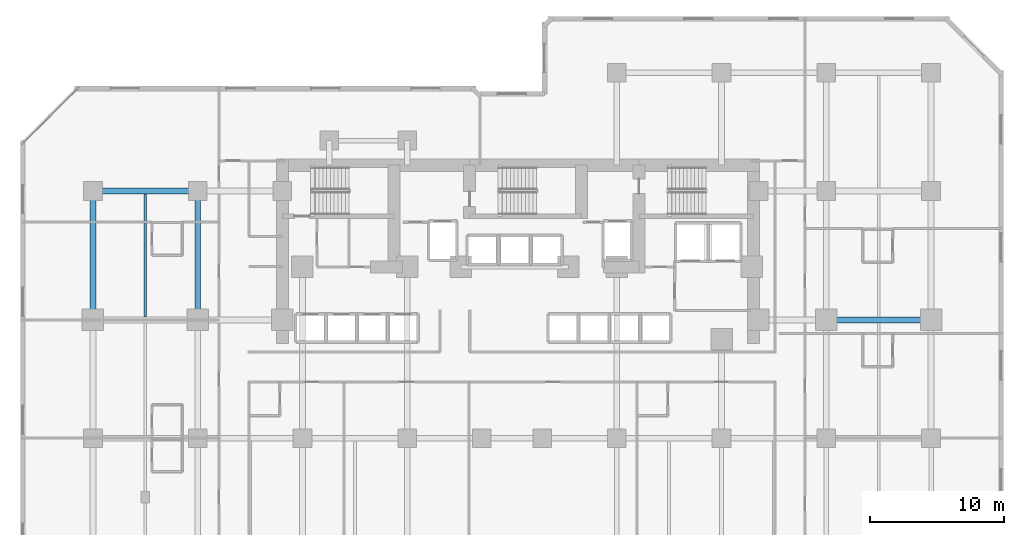
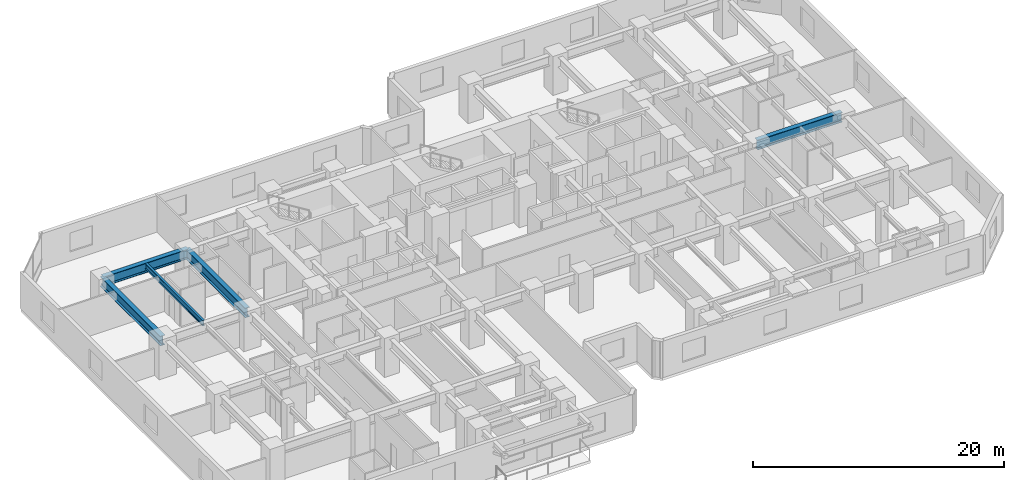
# One storey, part 2 of 11: 5 beams.
"""IFC4 building model written with IfcOpenShell, lengths in metres."""

from ifc_helpers import new_model, si_unit, direction, frame, origin, origin_2d, place, context, subcontext, project, spatial, i_section, extrude, material, material_profile, profile_set, type_object, element, save


model = new_model("IFC4")

# Units and contexts
model_context = context("Model", 3, precision=1e-05, world=origin(), true_north=direction((0.0, 1.0)))
body_context = subcontext(model_context, "Body", "Model", "MODEL_VIEW")
ifc_project = project(units=[si_unit("LENGTHUNIT", "METRE"), si_unit("AREAUNIT", "SQUARE_METRE"), si_unit("VOLUMEUNIT", "CUBIC_METRE"), si_unit("PLANEANGLEUNIT", "RADIAN"), si_unit("MASSUNIT", "GRAM", prefix="KILO")], contexts=[model_context])

# Site, building, storey
site_placement = place(None, origin())
site = spatial("IfcSite", under=ifc_project, at=site_placement, CompositionType="ELEMENT")
building_placement = place(site_placement, origin())
building = spatial("IfcBuilding", under=site, at=building_placement, Name="Kestravale Grand Hotel", CompositionType="ELEMENT")
storey_placement = place(building_placement, frame((0.0, 0.0, 37.39990234375)))
storey = spatial("IfcBuildingStorey", under=building, at=storey_placement, Name="L08", CompositionType="ELEMENT", Elevation=37.39990234375)

# Beams
ifc_material_1 = material(Name="Steel ASTM A992 Grade 50", Category="steel")
ifc_material_profile_1 = material_profile(ifc_material_1, i_section(OverallWidth=0.2099609375, OverallDepth=0.535888671875, WebThickness=0.010986328125, FlangeThickness=0.017333984375, FilletRadius=0.017578125, at=origin_2d()))
ifc_profile_set_1 = profile_set([ifc_material_profile_1], Name="Steel ASTM A992 Grade 50")
beam_type_1 = type_object("IfcBeamType", Name="B-FLR-JST21", PredefinedType="JOIST", material=ifc_profile_set_1)
beam_placement = place(storey_placement, frame((11.699951171875, 29.011962890625, 3.272216796875), z_axis=(0.0, 1.0, 0.0), x_axis=(-1.0, 0.0, 0.0)))
element("IfcBeam", 1, at=beam_placement, inside=storey, type_object=beam_type_1, Name="L08 floor joist 2-3/E-F #1", PredefinedType="JOIST", context=body_context, shape_type="SweptSolid", body=[
    extrude(i_section(OverallWidth=0.2099609375, OverallDepth=0.535888671875, WebThickness=0.010986328125, FlangeThickness=0.017333984375, FilletRadius=0.017578125, at=origin_2d()), origin(), (0.0, 0.0, 1.0), 9.176025390625),
])
ifc_material_2 = material(Name="Steel ASTM A992 Grade 50", Category="steel")
ifc_material_profile_2 = material_profile(ifc_material_2, i_section(OverallWidth=0.424072265625, OverallDepth=0.947021484375, WebThickness=0.02392578125, FlangeThickness=0.042724609375, FilletRadius=0.0283203125, at=origin_2d()))
ifc_profile_set_2 = profile_set([ifc_material_profile_2], Name="Steel ASTM A992 Grade 50")
beam_type_2 = type_object("IfcBeamType", Name="B-GRD-W36", PredefinedType="BEAM", material=ifc_profile_set_2)
for number, where, z_axis, x_axis, name in (
    (2, (62.39990234375, 28.800048828125, 3.066650390625), (1.0, 0.0, 0.0), (0.0, 1.0, 0.0), "L08 girder E:10-11"),
    (3, (7.800048828125, 38.39990234375, 3.066650390625), (1.0, 0.0, 0.0), (0.0, 1.0, 0.0), "L08 girder F:2-3"),
):
    element("IfcBeam", number, at=place(storey_placement, frame(where, z_axis=z_axis, x_axis=x_axis)), inside=storey, type_object=beam_type_2, Name=name, PredefinedType="BEAM", context=body_context, shape_type="SweptSolid", body=[
        extrude(i_section(OverallWidth=0.424072265625, OverallDepth=0.947021484375, WebThickness=0.02392578125, FlangeThickness=0.042724609375, FilletRadius=0.0283203125, at=origin_2d()), origin(), (0.0, 0.0, 1.0), 7.800048828125),
    ])
for number, where, z_axis, x_axis, name in (
    (4, (7.800048828125, 28.800048828125, 3.066650390625), (0.0, 1.0, 0.0), (-1.0, 0.0, 0.0), "L08 girder 2:E-F"),
    (5, (15.60009765625, 28.800048828125, 3.066650390625), (0.0, 1.0, 0.0), (-1.0, 0.0, 0.0), "L08 girder 3:E-F"),
):
    element("IfcBeam", number, at=place(storey_placement, frame(where, z_axis=z_axis, x_axis=x_axis)), inside=storey, type_object=beam_type_2, Name=name, PredefinedType="BEAM", context=body_context, shape_type="SweptSolid", body=[
        extrude(i_section(OverallWidth=0.424072265625, OverallDepth=0.947021484375, WebThickness=0.02392578125, FlangeThickness=0.042724609375, FilletRadius=0.0283203125, at=origin_2d()), origin(), (0.0, 0.0, 1.0), 9.599853515625),
    ])

save(model, "model.ifc")
